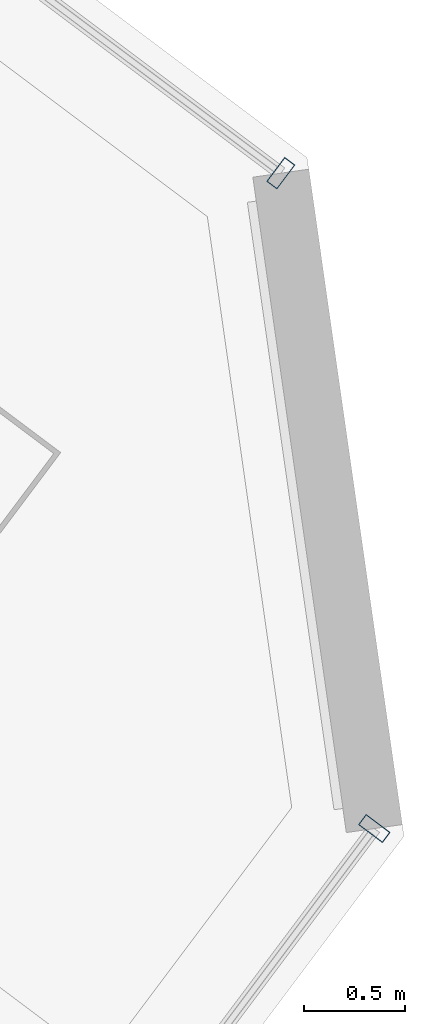
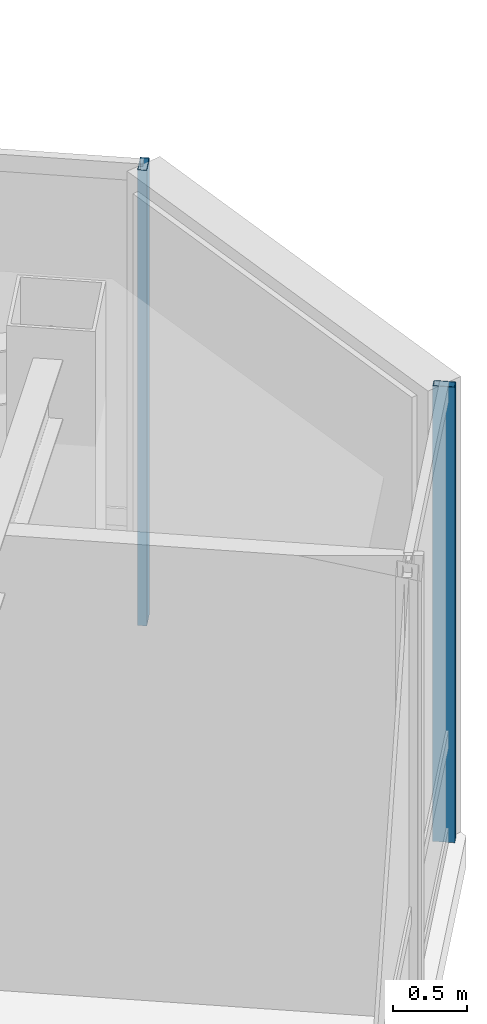
# One storey, part 20 of 29: 2 members, 2 elements without a shape of their own.
"""IFC4 building model written with IfcOpenShell, lengths in metres."""

from ifc_helpers import new_model, si_unit, direction, frame, origin, origin_2d, place, context, subcontext, project, spatial, hollow_rectangle, extrude, material, layer, layer_set, material_profile, profile_set, type_object, element, aggregate, save


model = new_model("IFC4")

# Units and contexts
model_context = context("Model", 3, precision=1e-05, world=origin(), true_north=direction((0.0, 1.0)))
body_context = subcontext(model_context, "Body", "Model", "MODEL_VIEW")
ifc_project = project(units=[si_unit("LENGTHUNIT", "METRE"), si_unit("AREAUNIT", "SQUARE_METRE"), si_unit("VOLUMEUNIT", "CUBIC_METRE"), si_unit("PLANEANGLEUNIT", "RADIAN"), si_unit("MASSUNIT", "GRAM", prefix="KILO")], contexts=[model_context])

# Site, building, storey
site_placement = place(None, origin())
site = spatial("IfcSite", under=ifc_project, at=site_placement, CompositionType="ELEMENT")
building_placement = place(site_placement, origin())
building = spatial("IfcBuilding", under=site, at=building_placement, Name="Hatsunagi Terrace Concourse", CompositionType="ELEMENT")
storey_placement = place(building_placement, frame((0.0, 0.0, 277.949951171875)))
storey = spatial("IfcBuildingStorey", under=building, at=storey_placement, Name="L73", CompositionType="ELEMENT", Elevation=277.949951171875)

# Curtain wall, member
ifc_material_1 = material(Name="Anodised Aluminium Alloy 6063-T5", Category="aluminium")
ifc_layer = layer(ifc_material_1, 0.199951171875)
ifc_layer_set = layer_set([ifc_layer], Name="CrownWintergarden_CW06")
curtain_wall_type = type_object("IfcCurtainWallType", Name="CrownWintergarden_CW06", PredefinedType="NOTDEFINED", material=ifc_layer_set)
curtain_wall_1_placement = place(storey_placement, origin())
curtain_wall_1 = element("IfcCurtainWall", 1, at=curtain_wall_1_placement, inside=storey, type_object=curtain_wall_type, Name="Unitised Curtain Wall CW-06 CW-L73-01", PredefinedType="NOTDEFINED")
ifc_material_2 = material(Name="Anodised Aluminium Alloy 6063-T5", Category="aluminium")
ifc_material_profile = material_profile(ifc_material_2, hollow_rectangle(XDim=0.06494140625, YDim=0.14990234375, WallThickness=0.00390625, at=origin_2d()), Name="ALU-MUL-150x65x4")
ifc_profile_set = profile_set([ifc_material_profile], Name="Anodised Aluminium Alloy 6063-T5")
member_type = type_object("IfcMemberType", Name="CurtainWallMullion_Crown_150x65", PredefinedType="MULLION", material=ifc_profile_set)
member_1_placement = place(storey_placement, frame((53.030029296875, 34.60302734375, 0.0), z_axis=(0.0, 0.0, 1.0), x_axis=(0.800023013105, -0.599969314634, 0.0)))
member_1 = element("IfcMember", 2, at=member_1_placement, type_object=member_type, Name="Curtain Wall Mullion MUL-03", PredefinedType="MULLION", context=body_context, shape_type="SweptSolid", body=[
    extrude(hollow_rectangle(XDim=0.06494140625, YDim=0.14990234375, WallThickness=0.00390625, at=origin_2d()), origin(), (0.0, 0.0, 1.0), 3.739990234375),
])
aggregate(curtain_wall_1, [member_1])

curtain_wall_2_placement = place(storey_placement, origin())
curtain_wall_2 = element("IfcCurtainWall", 3, at=curtain_wall_2_placement, inside=storey, type_object=curtain_wall_type, Name="Unitised Curtain Wall CW-06 CW-L73-03", PredefinedType="NOTDEFINED")
member_2_placement = place(storey_placement, frame((53.492919921875, 31.35791015625, 0.0), z_axis=(0.0, 0.0, 1.0), x_axis=(-0.599969314634, -0.800023013105, 0.0)))
member_2 = element("IfcMember", 4, at=member_2_placement, type_object=member_type, Name="Curtain Wall Mullion MUL-03", PredefinedType="MULLION", context=body_context, shape_type="SweptSolid", body=[
    extrude(hollow_rectangle(XDim=0.06494140625, YDim=0.14990234375, WallThickness=0.00390625, at=origin_2d()), origin(), (0.0, 0.0, 1.0), 3.739990234375),
])
aggregate(curtain_wall_2, [member_2])

save(model, "model.ifc")
